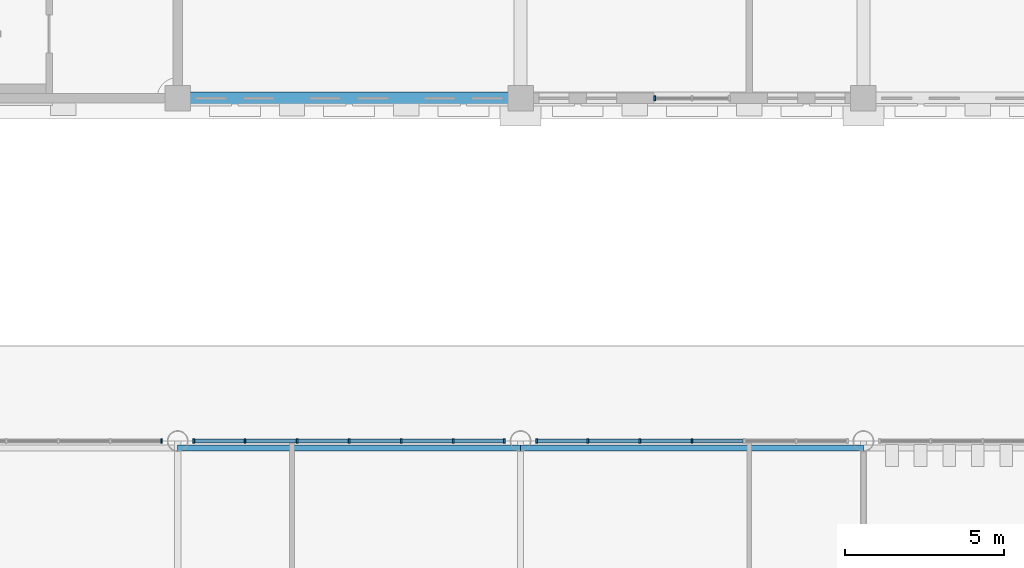
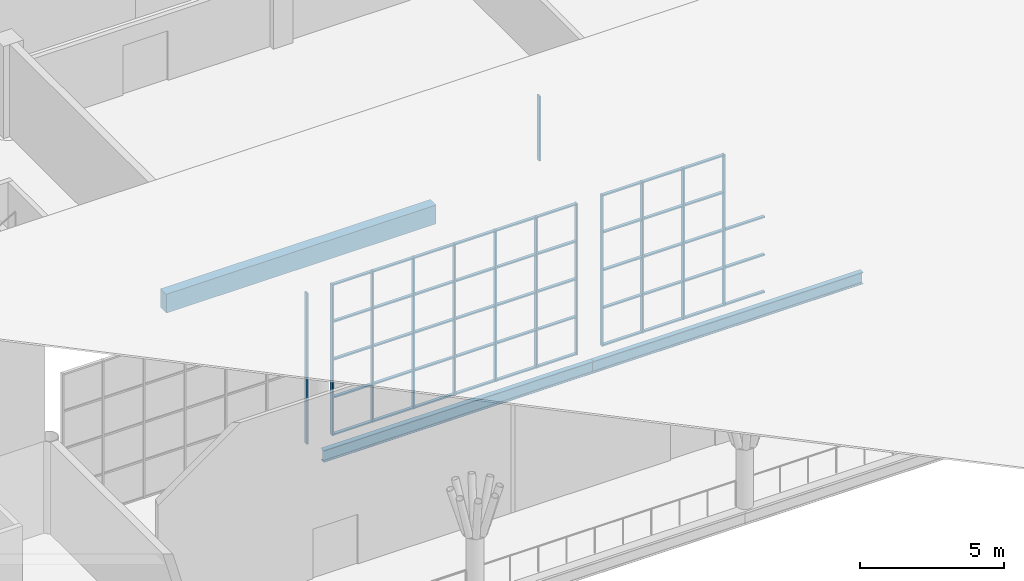
# One storey, part 14 of 56: 61 members, 3 beams, 4 elements without a shape of their own.
"""IFC4 building model written with IfcOpenShell, lengths in metres."""

from ifc_helpers import new_model, si_unit, direction, frame, origin, origin_2d, place, context, subcontext, project, spatial, rectangle, i_section, extrude, material, layer, layer_set, material_profile, profile_set, type_object, element, aggregate, save


model = new_model("IFC4")

# Units and contexts
model_context = context("Model", 3, precision=1e-05, world=origin(), true_north=direction((0.0, 1.0)))
body_context = subcontext(model_context, "Body", "Model", "MODEL_VIEW")
ifc_project = project(units=[si_unit("LENGTHUNIT", "METRE"), si_unit("AREAUNIT", "SQUARE_METRE"), si_unit("VOLUMEUNIT", "CUBIC_METRE"), si_unit("PLANEANGLEUNIT", "RADIAN"), si_unit("MASSUNIT", "GRAM", prefix="KILO")], contexts=[model_context])

# Site, building, storey
site_placement = place(None, origin())
site = spatial("IfcSite", under=ifc_project, at=site_placement, CompositionType="ELEMENT")
building_placement = place(site_placement, origin())
building = spatial("IfcBuilding", under=site, at=building_placement, Name="Magnolia Steps Interchange", CompositionType="ELEMENT")
storey_placement = place(building_placement, frame((0.0, 0.0, 8.699951171875)))
storey = spatial("IfcBuildingStorey", under=building, at=storey_placement, Name="L02", CompositionType="ELEMENT", Elevation=8.699951171875)

# Curtain wall, member
ifc_material_1 = material(Name="Powder-coated aluminium and glass", Category="aluminium")
ifc_layer_1 = layer(ifc_material_1, 0.199951171875)
ifc_layer_set_1 = layer_set([ifc_layer_1], Name="Glazed central bay curtain wall")
curtain_wall_type_1 = type_object("IfcCurtainWallType", Name="Glazed central bay curtain wall", PredefinedType="NOTDEFINED", material=ifc_layer_set_1)
curtain_wall_1_placement = place(storey_placement, origin())
curtain_wall_1 = element("IfcCurtainWall", 1, at=curtain_wall_1_placement, inside=storey, type_object=curtain_wall_type_1, Name="Operations building south wall L02 glazing 2", PredefinedType="NOTDEFINED")
ifc_material_2 = material(Name="White powder-coated aluminium", Category="aluminium")
ifc_material_profile_1 = material_profile(ifc_material_2, rectangle(XDim=0.06005859375, YDim=0.14990234375, at=origin_2d()), Name="Aluminium mullion 60 x 150")
ifc_profile_set_1 = profile_set([ifc_material_profile_1], Name="White powder-coated aluminium")
member_type_1 = type_object("IfcMemberType", Name="Aluminium mullion 60 x 150", PredefinedType="MULLION", material=ifc_profile_set_1)
member_1_placement = place(storey_placement, frame((89.830078125, 96.39990234375, 0.0), z_axis=(0.0, 0.0, 1.0), x_axis=(1.0, 0.0, 0.0)))
member_1 = element("IfcMember", 2, at=member_1_placement, type_object=member_type_1, Name="CW2 mullion 1", PredefinedType="MULLION", context=body_context, shape_type="SweptSolid", body=[
    extrude(rectangle(XDim=0.06005859375, YDim=0.14990234375, at=origin_2d()), origin(), (0.0, 0.0, 1.0), 2.75),
])
aggregate(curtain_wall_1, [member_1])

ifc_material_3 = material(Name="Powder-coated aluminium and glass", Category="aluminium")
ifc_layer_2 = layer(ifc_material_3, 0.1201171875)
ifc_layer_set_2 = layer_set([ifc_layer_2], Name="Hall clerestory curtain wall")
curtain_wall_type_2 = type_object("IfcCurtainWallType", Name="Hall clerestory curtain wall", PredefinedType="NOTDEFINED", material=ifc_layer_set_2)
curtain_wall_2_placement = place(storey_placement, origin())
curtain_wall_2 = element("IfcCurtainWall", 3, at=curtain_wall_2_placement, inside=storey, type_object=curtain_wall_type_2, Name="Hall clerestory N2", PredefinedType="NOTDEFINED")
member_2_placement = place(storey_placement, frame((74.2900390625, 85.60009765625, 0.0), z_axis=(0.0, 0.0, 1.0), x_axis=(1.0, 0.0, 0.0)))
member_2 = element("IfcMember", 4, at=member_2_placement, type_object=member_type_1, Name="CW6 mullion 7", PredefinedType="MULLION", context=body_context, shape_type="SweptSolid", body=[
    extrude(rectangle(XDim=0.06005859375, YDim=0.14990234375, at=origin_2d()), origin(), (0.0, 0.0, 1.0), 6.400146484375),
])
aggregate(curtain_wall_2, [member_2])

# Curtain wall, members
curtain_wall_3_placement = place(storey_placement, origin())
curtain_wall_3 = element("IfcCurtainWall", 5, at=curtain_wall_3_placement, inside=storey, type_object=curtain_wall_type_2, Name="Hall clerestory N3", PredefinedType="NOTDEFINED")
member_3_placement = place(storey_placement, frame((75.31005859375, 85.60009765625, 0.0), z_axis=(0.0, 0.0, 1.0), x_axis=(1.0, 0.0, 0.0)))
member_3 = element("IfcMember", 6, at=member_3_placement, type_object=member_type_1, Name="CW6 mullion 1", PredefinedType="MULLION", context=body_context, shape_type="SweptSolid", body=[
    extrude(rectangle(XDim=0.06005859375, YDim=0.14990234375, at=origin_2d()), origin(), (0.0, 0.0, 1.0), 6.400146484375),
])
member_4_placement = place(storey_placement, frame((76.919921875, 85.60009765625, 0.0), z_axis=(0.0, 0.0, 1.0), x_axis=(1.0, 0.0, 0.0)))
member_4 = element("IfcMember", 7, at=member_4_placement, type_object=member_type_1, Name="CW6 mullion 2", PredefinedType="MULLION", context=body_context, shape_type="SweptSolid", body=[
    extrude(rectangle(XDim=0.06005859375, YDim=0.14990234375, at=origin_2d()), origin(), (0.0, 0.0, 1.0), 6.400146484375),
])
member_5_placement = place(storey_placement, frame((78.56005859375, 85.60009765625, 0.0), z_axis=(0.0, 0.0, 1.0), x_axis=(1.0, 0.0, 0.0)))
member_5 = element("IfcMember", 8, at=member_5_placement, type_object=member_type_1, Name="CW6 mullion 3", PredefinedType="MULLION", context=body_context, shape_type="SweptSolid", body=[
    extrude(rectangle(XDim=0.06005859375, YDim=0.14990234375, at=origin_2d()), origin(), (0.0, 0.0, 1.0), 6.400146484375),
])
member_6_placement = place(storey_placement, frame((80.199951171875, 85.60009765625, 0.0), z_axis=(0.0, 0.0, 1.0), x_axis=(1.0, 0.0, 0.0)))
member_6 = element("IfcMember", 9, at=member_6_placement, type_object=member_type_1, Name="CW6 mullion 4", PredefinedType="MULLION", context=body_context, shape_type="SweptSolid", body=[
    extrude(rectangle(XDim=0.06005859375, YDim=0.14990234375, at=origin_2d()), origin(), (0.0, 0.0, 1.0), 6.400146484375),
])
member_7_placement = place(storey_placement, frame((81.840087890625, 85.60009765625, 0.0), z_axis=(0.0, 0.0, 1.0), x_axis=(1.0, 0.0, 0.0)))
member_7 = element("IfcMember", 10, at=member_7_placement, type_object=member_type_1, Name="CW6 mullion 5", PredefinedType="MULLION", context=body_context, shape_type="SweptSolid", body=[
    extrude(rectangle(XDim=0.06005859375, YDim=0.14990234375, at=origin_2d()), origin(), (0.0, 0.0, 1.0), 6.400146484375),
])
member_8_placement = place(storey_placement, frame((83.47998046875, 85.60009765625, 0.0), z_axis=(0.0, 0.0, 1.0), x_axis=(1.0, 0.0, 0.0)))
member_8 = element("IfcMember", 11, at=member_8_placement, type_object=member_type_1, Name="CW6 mullion 6", PredefinedType="MULLION", context=body_context, shape_type="SweptSolid", body=[
    extrude(rectangle(XDim=0.06005859375, YDim=0.14990234375, at=origin_2d()), origin(), (0.0, 0.0, 1.0), 6.400146484375),
])
member_9_placement = place(storey_placement, frame((85.090087890625, 85.60009765625, 0.0), z_axis=(0.0, 0.0, 1.0), x_axis=(1.0, 0.0, 0.0)))
member_9 = element("IfcMember", 12, at=member_9_placement, type_object=member_type_1, Name="CW6 mullion 7", PredefinedType="MULLION", context=body_context, shape_type="SweptSolid", body=[
    extrude(rectangle(XDim=0.06005859375, YDim=0.14990234375, at=origin_2d()), origin(), (0.0, 0.0, 1.0), 6.400146484375),
])

curtain_wall_4_placement = place(storey_placement, origin())
curtain_wall_4 = element("IfcCurtainWall", 13, at=curtain_wall_4_placement, inside=storey, type_object=curtain_wall_type_2, Name="Hall clerestory N4", PredefinedType="NOTDEFINED")
member_10_placement = place(storey_placement, frame((86.110107421875, 85.60009765625, 0.0), z_axis=(0.0, 0.0, 1.0), x_axis=(1.0, 0.0, 0.0)))
member_10 = element("IfcMember", 14, at=member_10_placement, type_object=member_type_1, Name="CW6 mullion 1", PredefinedType="MULLION", context=body_context, shape_type="SweptSolid", body=[
    extrude(rectangle(XDim=0.06005859375, YDim=0.14990234375, at=origin_2d()), origin(), (0.0, 0.0, 1.0), 6.400146484375),
])
member_11_placement = place(storey_placement, frame((87.719970703125, 85.60009765625, 0.0), z_axis=(0.0, 0.0, 1.0), x_axis=(1.0, 0.0, 0.0)))
member_11 = element("IfcMember", 15, at=member_11_placement, type_object=member_type_1, Name="CW6 mullion 2", PredefinedType="MULLION", context=body_context, shape_type="SweptSolid", body=[
    extrude(rectangle(XDim=0.06005859375, YDim=0.14990234375, at=origin_2d()), origin(), (0.0, 0.0, 1.0), 6.400146484375),
])
member_12_placement = place(storey_placement, frame((89.360107421875, 85.60009765625, 0.0), z_axis=(0.0, 0.0, 1.0), x_axis=(1.0, 0.0, 0.0)))
member_12 = element("IfcMember", 16, at=member_12_placement, type_object=member_type_1, Name="CW6 mullion 3", PredefinedType="MULLION", context=body_context, shape_type="SweptSolid", body=[
    extrude(rectangle(XDim=0.06005859375, YDim=0.14990234375, at=origin_2d()), origin(), (0.0, 0.0, 1.0), 6.400146484375),
])
member_13_placement = place(storey_placement, frame((91.0, 85.60009765625, 0.0), z_axis=(0.0, 0.0, 1.0), x_axis=(1.0, 0.0, 0.0)))
member_13 = element("IfcMember", 17, at=member_13_placement, type_object=member_type_1, Name="CW6 mullion 4", PredefinedType="MULLION", context=body_context, shape_type="SweptSolid", body=[
    extrude(rectangle(XDim=0.06005859375, YDim=0.14990234375, at=origin_2d()), origin(), (0.0, 0.0, 1.0), 6.400146484375),
])

# Member
ifc_material_4 = material(Name="White powder-coated aluminium", Category="aluminium")
ifc_material_profile_2 = material_profile(ifc_material_4, rectangle(XDim=0.06005859375, YDim=0.1201171875, at=origin_2d()), Name="Aluminium transom 60 x 120")
ifc_profile_set_2 = profile_set([ifc_material_profile_2], Name="White powder-coated aluminium")
member_type_2 = type_object("IfcMemberType", Name="Aluminium transom 60 x 120", PredefinedType="USERDEFINED", material=ifc_profile_set_2)
member_14_placement = place(storey_placement, frame((75.340087890625, 85.60009765625, 0.030029296875), z_axis=(1.0, 0.0, 0.0), x_axis=(0.0, 0.0, 1.0)))
member_14 = element("IfcMember", 18, at=member_14_placement, type_object=member_type_2, Name="CW6 transom 1.1", ObjectType="TRANSOM", PredefinedType="USERDEFINED", context=body_context, shape_type="SweptSolid", body=[
    extrude(rectangle(XDim=0.06005859375, YDim=0.1201171875, at=origin_2d()), origin(), (0.0, 0.0, 1.0), 1.5498046875),
])

member_15_placement = place(storey_placement, frame((75.340087890625, 85.60009765625, 1.60009765625), z_axis=(1.0, 0.0, 0.0), x_axis=(0.0, 0.0, 1.0)))
member_15 = element("IfcMember", 19, at=member_15_placement, type_object=member_type_2, Name="CW6 transom 1.2", ObjectType="TRANSOM", PredefinedType="USERDEFINED", context=body_context, shape_type="SweptSolid", body=[
    extrude(rectangle(XDim=0.06005859375, YDim=0.1201171875, at=origin_2d()), origin(), (0.0, 0.0, 1.0), 1.5498046875),
])

member_16_placement = place(storey_placement, frame((75.340087890625, 85.60009765625, 3.199951171875), z_axis=(1.0, 0.0, 0.0), x_axis=(0.0, 0.0, 1.0)))
member_16 = element("IfcMember", 20, at=member_16_placement, type_object=member_type_2, Name="CW6 transom 1.3", ObjectType="TRANSOM", PredefinedType="USERDEFINED", context=body_context, shape_type="SweptSolid", body=[
    extrude(rectangle(XDim=0.06005859375, YDim=0.1201171875, at=origin_2d()), origin(), (0.0, 0.0, 1.0), 1.5498046875),
])

member_17_placement = place(storey_placement, frame((75.340087890625, 85.60009765625, 4.800048828125), z_axis=(1.0, 0.0, 0.0), x_axis=(0.0, 0.0, 1.0)))
member_17 = element("IfcMember", 21, at=member_17_placement, type_object=member_type_2, Name="CW6 transom 1.4", ObjectType="TRANSOM", PredefinedType="USERDEFINED", context=body_context, shape_type="SweptSolid", body=[
    extrude(rectangle(XDim=0.06005859375, YDim=0.1201171875, at=origin_2d()), origin(), (0.0, 0.0, 1.0), 1.5498046875),
])

member_18_placement = place(storey_placement, frame((75.340087890625, 85.60009765625, 6.3701171875), z_axis=(1.0, 0.0, 0.0), x_axis=(0.0, 0.0, 1.0)))
member_18 = element("IfcMember", 22, at=member_18_placement, type_object=member_type_2, Name="CW6 transom 1.5", ObjectType="TRANSOM", PredefinedType="USERDEFINED", context=body_context, shape_type="SweptSolid", body=[
    extrude(rectangle(XDim=0.06005859375, YDim=0.1201171875, at=origin_2d()), origin(), (0.0, 0.0, 1.0), 1.5498046875),
])

member_19_placement = place(storey_placement, frame((76.949951171875, 85.60009765625, 0.030029296875), z_axis=(1.0, 0.0, 0.0), x_axis=(0.0, 0.0, 1.0)))
member_19 = element("IfcMember", 23, at=member_19_placement, type_object=member_type_2, Name="CW6 transom 2.1", ObjectType="TRANSOM", PredefinedType="USERDEFINED", context=body_context, shape_type="SweptSolid", body=[
    extrude(rectangle(XDim=0.06005859375, YDim=0.1201171875, at=origin_2d()), origin(), (0.0, 0.0, 1.0), 1.580078125),
])

member_20_placement = place(storey_placement, frame((76.949951171875, 85.60009765625, 1.60009765625), z_axis=(1.0, 0.0, 0.0), x_axis=(0.0, 0.0, 1.0)))
member_20 = element("IfcMember", 24, at=member_20_placement, type_object=member_type_2, Name="CW6 transom 2.2", ObjectType="TRANSOM", PredefinedType="USERDEFINED", context=body_context, shape_type="SweptSolid", body=[
    extrude(rectangle(XDim=0.06005859375, YDim=0.1201171875, at=origin_2d()), origin(), (0.0, 0.0, 1.0), 1.580078125),
])

member_21_placement = place(storey_placement, frame((76.949951171875, 85.60009765625, 3.199951171875), z_axis=(1.0, 0.0, 0.0), x_axis=(0.0, 0.0, 1.0)))
member_21 = element("IfcMember", 25, at=member_21_placement, type_object=member_type_2, Name="CW6 transom 2.3", ObjectType="TRANSOM", PredefinedType="USERDEFINED", context=body_context, shape_type="SweptSolid", body=[
    extrude(rectangle(XDim=0.06005859375, YDim=0.1201171875, at=origin_2d()), origin(), (0.0, 0.0, 1.0), 1.580078125),
])

member_22_placement = place(storey_placement, frame((76.949951171875, 85.60009765625, 4.800048828125), z_axis=(1.0, 0.0, 0.0), x_axis=(0.0, 0.0, 1.0)))
member_22 = element("IfcMember", 26, at=member_22_placement, type_object=member_type_2, Name="CW6 transom 2.4", ObjectType="TRANSOM", PredefinedType="USERDEFINED", context=body_context, shape_type="SweptSolid", body=[
    extrude(rectangle(XDim=0.06005859375, YDim=0.1201171875, at=origin_2d()), origin(), (0.0, 0.0, 1.0), 1.580078125),
])

member_23_placement = place(storey_placement, frame((76.949951171875, 85.60009765625, 6.3701171875), z_axis=(1.0, 0.0, 0.0), x_axis=(0.0, 0.0, 1.0)))
member_23 = element("IfcMember", 27, at=member_23_placement, type_object=member_type_2, Name="CW6 transom 2.5", ObjectType="TRANSOM", PredefinedType="USERDEFINED", context=body_context, shape_type="SweptSolid", body=[
    extrude(rectangle(XDim=0.06005859375, YDim=0.1201171875, at=origin_2d()), origin(), (0.0, 0.0, 1.0), 1.580078125),
])

member_24_placement = place(storey_placement, frame((78.590087890625, 85.60009765625, 0.030029296875), z_axis=(1.0, 0.0, 0.0), x_axis=(0.0, 0.0, 1.0)))
member_24 = element("IfcMember", 28, at=member_24_placement, type_object=member_type_2, Name="CW6 transom 3.1", ObjectType="TRANSOM", PredefinedType="USERDEFINED", context=body_context, shape_type="SweptSolid", body=[
    extrude(rectangle(XDim=0.06005859375, YDim=0.1201171875, at=origin_2d()), origin(), (0.0, 0.0, 1.0), 1.579833984375),
])

member_25_placement = place(storey_placement, frame((78.590087890625, 85.60009765625, 1.60009765625), z_axis=(1.0, 0.0, 0.0), x_axis=(0.0, 0.0, 1.0)))
member_25 = element("IfcMember", 29, at=member_25_placement, type_object=member_type_2, Name="CW6 transom 3.2", ObjectType="TRANSOM", PredefinedType="USERDEFINED", context=body_context, shape_type="SweptSolid", body=[
    extrude(rectangle(XDim=0.06005859375, YDim=0.1201171875, at=origin_2d()), origin(), (0.0, 0.0, 1.0), 1.579833984375),
])

member_26_placement = place(storey_placement, frame((78.590087890625, 85.60009765625, 3.199951171875), z_axis=(1.0, 0.0, 0.0), x_axis=(0.0, 0.0, 1.0)))
member_26 = element("IfcMember", 30, at=member_26_placement, type_object=member_type_2, Name="CW6 transom 3.3", ObjectType="TRANSOM", PredefinedType="USERDEFINED", context=body_context, shape_type="SweptSolid", body=[
    extrude(rectangle(XDim=0.06005859375, YDim=0.1201171875, at=origin_2d()), origin(), (0.0, 0.0, 1.0), 1.579833984375),
])

member_27_placement = place(storey_placement, frame((78.590087890625, 85.60009765625, 4.800048828125), z_axis=(1.0, 0.0, 0.0), x_axis=(0.0, 0.0, 1.0)))
member_27 = element("IfcMember", 31, at=member_27_placement, type_object=member_type_2, Name="CW6 transom 3.4", ObjectType="TRANSOM", PredefinedType="USERDEFINED", context=body_context, shape_type="SweptSolid", body=[
    extrude(rectangle(XDim=0.06005859375, YDim=0.1201171875, at=origin_2d()), origin(), (0.0, 0.0, 1.0), 1.579833984375),
])

member_28_placement = place(storey_placement, frame((78.590087890625, 85.60009765625, 6.3701171875), z_axis=(1.0, 0.0, 0.0), x_axis=(0.0, 0.0, 1.0)))
member_28 = element("IfcMember", 32, at=member_28_placement, type_object=member_type_2, Name="CW6 transom 3.5", ObjectType="TRANSOM", PredefinedType="USERDEFINED", context=body_context, shape_type="SweptSolid", body=[
    extrude(rectangle(XDim=0.06005859375, YDim=0.1201171875, at=origin_2d()), origin(), (0.0, 0.0, 1.0), 1.579833984375),
])

member_29_placement = place(storey_placement, frame((80.22998046875, 85.60009765625, 0.030029296875), z_axis=(1.0, 0.0, 0.0), x_axis=(0.0, 0.0, 1.0)))
member_29 = element("IfcMember", 33, at=member_29_placement, type_object=member_type_2, Name="CW6 transom 4.1", ObjectType="TRANSOM", PredefinedType="USERDEFINED", context=body_context, shape_type="SweptSolid", body=[
    extrude(rectangle(XDim=0.06005859375, YDim=0.1201171875, at=origin_2d()), origin(), (0.0, 0.0, 1.0), 1.580078125),
])

member_30_placement = place(storey_placement, frame((80.22998046875, 85.60009765625, 1.60009765625), z_axis=(1.0, 0.0, 0.0), x_axis=(0.0, 0.0, 1.0)))
member_30 = element("IfcMember", 34, at=member_30_placement, type_object=member_type_2, Name="CW6 transom 4.2", ObjectType="TRANSOM", PredefinedType="USERDEFINED", context=body_context, shape_type="SweptSolid", body=[
    extrude(rectangle(XDim=0.06005859375, YDim=0.1201171875, at=origin_2d()), origin(), (0.0, 0.0, 1.0), 1.580078125),
])

member_31_placement = place(storey_placement, frame((80.22998046875, 85.60009765625, 3.199951171875), z_axis=(1.0, 0.0, 0.0), x_axis=(0.0, 0.0, 1.0)))
member_31 = element("IfcMember", 35, at=member_31_placement, type_object=member_type_2, Name="CW6 transom 4.3", ObjectType="TRANSOM", PredefinedType="USERDEFINED", context=body_context, shape_type="SweptSolid", body=[
    extrude(rectangle(XDim=0.06005859375, YDim=0.1201171875, at=origin_2d()), origin(), (0.0, 0.0, 1.0), 1.580078125),
])

member_32_placement = place(storey_placement, frame((80.22998046875, 85.60009765625, 4.800048828125), z_axis=(1.0, 0.0, 0.0), x_axis=(0.0, 0.0, 1.0)))
member_32 = element("IfcMember", 36, at=member_32_placement, type_object=member_type_2, Name="CW6 transom 4.4", ObjectType="TRANSOM", PredefinedType="USERDEFINED", context=body_context, shape_type="SweptSolid", body=[
    extrude(rectangle(XDim=0.06005859375, YDim=0.1201171875, at=origin_2d()), origin(), (0.0, 0.0, 1.0), 1.580078125),
])

member_33_placement = place(storey_placement, frame((80.22998046875, 85.60009765625, 6.3701171875), z_axis=(1.0, 0.0, 0.0), x_axis=(0.0, 0.0, 1.0)))
member_33 = element("IfcMember", 37, at=member_33_placement, type_object=member_type_2, Name="CW6 transom 4.5", ObjectType="TRANSOM", PredefinedType="USERDEFINED", context=body_context, shape_type="SweptSolid", body=[
    extrude(rectangle(XDim=0.06005859375, YDim=0.1201171875, at=origin_2d()), origin(), (0.0, 0.0, 1.0), 1.580078125),
])

member_34_placement = place(storey_placement, frame((81.8701171875, 85.60009765625, 0.030029296875), z_axis=(1.0, 0.0, 0.0), x_axis=(0.0, 0.0, 1.0)))
member_34 = element("IfcMember", 38, at=member_34_placement, type_object=member_type_2, Name="CW6 transom 5.1", ObjectType="TRANSOM", PredefinedType="USERDEFINED", context=body_context, shape_type="SweptSolid", body=[
    extrude(rectangle(XDim=0.06005859375, YDim=0.1201171875, at=origin_2d()), origin(), (0.0, 0.0, 1.0), 1.579833984375),
])

member_35_placement = place(storey_placement, frame((81.8701171875, 85.60009765625, 1.60009765625), z_axis=(1.0, 0.0, 0.0), x_axis=(0.0, 0.0, 1.0)))
member_35 = element("IfcMember", 39, at=member_35_placement, type_object=member_type_2, Name="CW6 transom 5.2", ObjectType="TRANSOM", PredefinedType="USERDEFINED", context=body_context, shape_type="SweptSolid", body=[
    extrude(rectangle(XDim=0.06005859375, YDim=0.1201171875, at=origin_2d()), origin(), (0.0, 0.0, 1.0), 1.579833984375),
])

member_36_placement = place(storey_placement, frame((81.8701171875, 85.60009765625, 3.199951171875), z_axis=(1.0, 0.0, 0.0), x_axis=(0.0, 0.0, 1.0)))
member_36 = element("IfcMember", 40, at=member_36_placement, type_object=member_type_2, Name="CW6 transom 5.3", ObjectType="TRANSOM", PredefinedType="USERDEFINED", context=body_context, shape_type="SweptSolid", body=[
    extrude(rectangle(XDim=0.06005859375, YDim=0.1201171875, at=origin_2d()), origin(), (0.0, 0.0, 1.0), 1.579833984375),
])

member_37_placement = place(storey_placement, frame((81.8701171875, 85.60009765625, 4.800048828125), z_axis=(1.0, 0.0, 0.0), x_axis=(0.0, 0.0, 1.0)))
member_37 = element("IfcMember", 41, at=member_37_placement, type_object=member_type_2, Name="CW6 transom 5.4", ObjectType="TRANSOM", PredefinedType="USERDEFINED", context=body_context, shape_type="SweptSolid", body=[
    extrude(rectangle(XDim=0.06005859375, YDim=0.1201171875, at=origin_2d()), origin(), (0.0, 0.0, 1.0), 1.579833984375),
])

member_38_placement = place(storey_placement, frame((81.8701171875, 85.60009765625, 6.3701171875), z_axis=(1.0, 0.0, 0.0), x_axis=(0.0, 0.0, 1.0)))
member_38 = element("IfcMember", 42, at=member_38_placement, type_object=member_type_2, Name="CW6 transom 5.5", ObjectType="TRANSOM", PredefinedType="USERDEFINED", context=body_context, shape_type="SweptSolid", body=[
    extrude(rectangle(XDim=0.06005859375, YDim=0.1201171875, at=origin_2d()), origin(), (0.0, 0.0, 1.0), 1.579833984375),
])

member_39_placement = place(storey_placement, frame((83.510009765625, 85.60009765625, 0.030029296875), z_axis=(1.0, 0.0, 0.0), x_axis=(0.0, 0.0, 1.0)))
member_39 = element("IfcMember", 43, at=member_39_placement, type_object=member_type_2, Name="CW6 transom 6.1", ObjectType="TRANSOM", PredefinedType="USERDEFINED", context=body_context, shape_type="SweptSolid", body=[
    extrude(rectangle(XDim=0.06005859375, YDim=0.1201171875, at=origin_2d()), origin(), (0.0, 0.0, 1.0), 1.550048828125),
])

member_40_placement = place(storey_placement, frame((83.510009765625, 85.60009765625, 1.60009765625), z_axis=(1.0, 0.0, 0.0), x_axis=(0.0, 0.0, 1.0)))
member_40 = element("IfcMember", 44, at=member_40_placement, type_object=member_type_2, Name="CW6 transom 6.2", ObjectType="TRANSOM", PredefinedType="USERDEFINED", context=body_context, shape_type="SweptSolid", body=[
    extrude(rectangle(XDim=0.06005859375, YDim=0.1201171875, at=origin_2d()), origin(), (0.0, 0.0, 1.0), 1.550048828125),
])

member_41_placement = place(storey_placement, frame((83.510009765625, 85.60009765625, 3.199951171875), z_axis=(1.0, 0.0, 0.0), x_axis=(0.0, 0.0, 1.0)))
member_41 = element("IfcMember", 45, at=member_41_placement, type_object=member_type_2, Name="CW6 transom 6.3", ObjectType="TRANSOM", PredefinedType="USERDEFINED", context=body_context, shape_type="SweptSolid", body=[
    extrude(rectangle(XDim=0.06005859375, YDim=0.1201171875, at=origin_2d()), origin(), (0.0, 0.0, 1.0), 1.550048828125),
])

member_42_placement = place(storey_placement, frame((83.510009765625, 85.60009765625, 4.800048828125), z_axis=(1.0, 0.0, 0.0), x_axis=(0.0, 0.0, 1.0)))
member_42 = element("IfcMember", 46, at=member_42_placement, type_object=member_type_2, Name="CW6 transom 6.4", ObjectType="TRANSOM", PredefinedType="USERDEFINED", context=body_context, shape_type="SweptSolid", body=[
    extrude(rectangle(XDim=0.06005859375, YDim=0.1201171875, at=origin_2d()), origin(), (0.0, 0.0, 1.0), 1.550048828125),
])

member_43_placement = place(storey_placement, frame((83.510009765625, 85.60009765625, 6.3701171875), z_axis=(1.0, 0.0, 0.0), x_axis=(0.0, 0.0, 1.0)))
member_43 = element("IfcMember", 47, at=member_43_placement, type_object=member_type_2, Name="CW6 transom 6.5", ObjectType="TRANSOM", PredefinedType="USERDEFINED", context=body_context, shape_type="SweptSolid", body=[
    extrude(rectangle(XDim=0.06005859375, YDim=0.1201171875, at=origin_2d()), origin(), (0.0, 0.0, 1.0), 1.550048828125),
])

aggregate(curtain_wall_3, [member_3, member_4, member_5, member_6, member_7, member_8, member_9, member_14, member_15, member_16, member_17, member_18, member_19, member_20, member_21, member_22, member_23, member_24, member_25, member_26, member_27, member_28, member_29, member_30, member_31, member_32, member_33, member_34, member_35, member_36, member_37, member_38, member_39, member_40, member_41, member_42, member_43])

member_44_placement = place(storey_placement, frame((86.139892578125, 85.60009765625, 0.030029296875), z_axis=(1.0, 0.0, 0.0), x_axis=(0.0, 0.0, 1.0)))
member_44 = element("IfcMember", 48, at=member_44_placement, type_object=member_type_2, Name="CW6 transom 1.1", ObjectType="TRANSOM", PredefinedType="USERDEFINED", context=body_context, shape_type="SweptSolid", body=[
    extrude(rectangle(XDim=0.06005859375, YDim=0.1201171875, at=origin_2d()), origin(), (0.0, 0.0, 1.0), 1.550048828125),
])

member_45_placement = place(storey_placement, frame((86.139892578125, 85.60009765625, 1.60009765625), z_axis=(1.0, 0.0, 0.0), x_axis=(0.0, 0.0, 1.0)))
member_45 = element("IfcMember", 49, at=member_45_placement, type_object=member_type_2, Name="CW6 transom 1.2", ObjectType="TRANSOM", PredefinedType="USERDEFINED", context=body_context, shape_type="SweptSolid", body=[
    extrude(rectangle(XDim=0.06005859375, YDim=0.1201171875, at=origin_2d()), origin(), (0.0, 0.0, 1.0), 1.550048828125),
])

member_46_placement = place(storey_placement, frame((86.139892578125, 85.60009765625, 3.199951171875), z_axis=(1.0, 0.0, 0.0), x_axis=(0.0, 0.0, 1.0)))
member_46 = element("IfcMember", 50, at=member_46_placement, type_object=member_type_2, Name="CW6 transom 1.3", ObjectType="TRANSOM", PredefinedType="USERDEFINED", context=body_context, shape_type="SweptSolid", body=[
    extrude(rectangle(XDim=0.06005859375, YDim=0.1201171875, at=origin_2d()), origin(), (0.0, 0.0, 1.0), 1.550048828125),
])

member_47_placement = place(storey_placement, frame((86.139892578125, 85.60009765625, 4.800048828125), z_axis=(1.0, 0.0, 0.0), x_axis=(0.0, 0.0, 1.0)))
member_47 = element("IfcMember", 51, at=member_47_placement, type_object=member_type_2, Name="CW6 transom 1.4", ObjectType="TRANSOM", PredefinedType="USERDEFINED", context=body_context, shape_type="SweptSolid", body=[
    extrude(rectangle(XDim=0.06005859375, YDim=0.1201171875, at=origin_2d()), origin(), (0.0, 0.0, 1.0), 1.550048828125),
])

member_48_placement = place(storey_placement, frame((86.139892578125, 85.60009765625, 6.3701171875), z_axis=(1.0, 0.0, 0.0), x_axis=(0.0, 0.0, 1.0)))
member_48 = element("IfcMember", 52, at=member_48_placement, type_object=member_type_2, Name="CW6 transom 1.5", ObjectType="TRANSOM", PredefinedType="USERDEFINED", context=body_context, shape_type="SweptSolid", body=[
    extrude(rectangle(XDim=0.06005859375, YDim=0.1201171875, at=origin_2d()), origin(), (0.0, 0.0, 1.0), 1.550048828125),
])

member_49_placement = place(storey_placement, frame((87.75, 85.60009765625, 0.030029296875), z_axis=(1.0, 0.0, 0.0), x_axis=(0.0, 0.0, 1.0)))
member_49 = element("IfcMember", 53, at=member_49_placement, type_object=member_type_2, Name="CW6 transom 2.1", ObjectType="TRANSOM", PredefinedType="USERDEFINED", context=body_context, shape_type="SweptSolid", body=[
    extrude(rectangle(XDim=0.06005859375, YDim=0.1201171875, at=origin_2d()), origin(), (0.0, 0.0, 1.0), 1.580078125),
])

member_50_placement = place(storey_placement, frame((87.75, 85.60009765625, 1.60009765625), z_axis=(1.0, 0.0, 0.0), x_axis=(0.0, 0.0, 1.0)))
member_50 = element("IfcMember", 54, at=member_50_placement, type_object=member_type_2, Name="CW6 transom 2.2", ObjectType="TRANSOM", PredefinedType="USERDEFINED", context=body_context, shape_type="SweptSolid", body=[
    extrude(rectangle(XDim=0.06005859375, YDim=0.1201171875, at=origin_2d()), origin(), (0.0, 0.0, 1.0), 1.580078125),
])

member_51_placement = place(storey_placement, frame((87.75, 85.60009765625, 3.199951171875), z_axis=(1.0, 0.0, 0.0), x_axis=(0.0, 0.0, 1.0)))
member_51 = element("IfcMember", 55, at=member_51_placement, type_object=member_type_2, Name="CW6 transom 2.3", ObjectType="TRANSOM", PredefinedType="USERDEFINED", context=body_context, shape_type="SweptSolid", body=[
    extrude(rectangle(XDim=0.06005859375, YDim=0.1201171875, at=origin_2d()), origin(), (0.0, 0.0, 1.0), 1.580078125),
])

member_52_placement = place(storey_placement, frame((87.75, 85.60009765625, 4.800048828125), z_axis=(1.0, 0.0, 0.0), x_axis=(0.0, 0.0, 1.0)))
member_52 = element("IfcMember", 56, at=member_52_placement, type_object=member_type_2, Name="CW6 transom 2.4", ObjectType="TRANSOM", PredefinedType="USERDEFINED", context=body_context, shape_type="SweptSolid", body=[
    extrude(rectangle(XDim=0.06005859375, YDim=0.1201171875, at=origin_2d()), origin(), (0.0, 0.0, 1.0), 1.580078125),
])

member_53_placement = place(storey_placement, frame((87.75, 85.60009765625, 6.3701171875), z_axis=(1.0, 0.0, 0.0), x_axis=(0.0, 0.0, 1.0)))
member_53 = element("IfcMember", 57, at=member_53_placement, type_object=member_type_2, Name="CW6 transom 2.5", ObjectType="TRANSOM", PredefinedType="USERDEFINED", context=body_context, shape_type="SweptSolid", body=[
    extrude(rectangle(XDim=0.06005859375, YDim=0.1201171875, at=origin_2d()), origin(), (0.0, 0.0, 1.0), 1.580078125),
])

member_54_placement = place(storey_placement, frame((89.389892578125, 85.60009765625, 0.030029296875), z_axis=(1.0, 0.0, 0.0), x_axis=(0.0, 0.0, 1.0)))
member_54 = element("IfcMember", 58, at=member_54_placement, type_object=member_type_2, Name="CW6 transom 3.1", ObjectType="TRANSOM", PredefinedType="USERDEFINED", context=body_context, shape_type="SweptSolid", body=[
    extrude(rectangle(XDim=0.06005859375, YDim=0.1201171875, at=origin_2d()), origin(), (0.0, 0.0, 1.0), 1.580078125),
])

member_55_placement = place(storey_placement, frame((89.389892578125, 85.60009765625, 1.60009765625), z_axis=(1.0, 0.0, 0.0), x_axis=(0.0, 0.0, 1.0)))
member_55 = element("IfcMember", 59, at=member_55_placement, type_object=member_type_2, Name="CW6 transom 3.2", ObjectType="TRANSOM", PredefinedType="USERDEFINED", context=body_context, shape_type="SweptSolid", body=[
    extrude(rectangle(XDim=0.06005859375, YDim=0.1201171875, at=origin_2d()), origin(), (0.0, 0.0, 1.0), 1.580078125),
])

member_56_placement = place(storey_placement, frame((89.389892578125, 85.60009765625, 3.199951171875), z_axis=(1.0, 0.0, 0.0), x_axis=(0.0, 0.0, 1.0)))
member_56 = element("IfcMember", 60, at=member_56_placement, type_object=member_type_2, Name="CW6 transom 3.3", ObjectType="TRANSOM", PredefinedType="USERDEFINED", context=body_context, shape_type="SweptSolid", body=[
    extrude(rectangle(XDim=0.06005859375, YDim=0.1201171875, at=origin_2d()), origin(), (0.0, 0.0, 1.0), 1.580078125),
])

member_57_placement = place(storey_placement, frame((89.389892578125, 85.60009765625, 4.800048828125), z_axis=(1.0, 0.0, 0.0), x_axis=(0.0, 0.0, 1.0)))
member_57 = element("IfcMember", 61, at=member_57_placement, type_object=member_type_2, Name="CW6 transom 3.4", ObjectType="TRANSOM", PredefinedType="USERDEFINED", context=body_context, shape_type="SweptSolid", body=[
    extrude(rectangle(XDim=0.06005859375, YDim=0.1201171875, at=origin_2d()), origin(), (0.0, 0.0, 1.0), 1.580078125),
])

member_58_placement = place(storey_placement, frame((89.389892578125, 85.60009765625, 6.3701171875), z_axis=(1.0, 0.0, 0.0), x_axis=(0.0, 0.0, 1.0)))
member_58 = element("IfcMember", 62, at=member_58_placement, type_object=member_type_2, Name="CW6 transom 3.5", ObjectType="TRANSOM", PredefinedType="USERDEFINED", context=body_context, shape_type="SweptSolid", body=[
    extrude(rectangle(XDim=0.06005859375, YDim=0.1201171875, at=origin_2d()), origin(), (0.0, 0.0, 1.0), 1.580078125),
])

member_59_placement = place(storey_placement, frame((91.030029296875, 85.60009765625, 0.030029296875), z_axis=(1.0, 0.0, 0.0), x_axis=(0.0, 0.0, 1.0)))
member_59 = element("IfcMember", 63, at=member_59_placement, type_object=member_type_2, Name="CW6 transom 4.1", ObjectType="TRANSOM", PredefinedType="USERDEFINED", context=body_context, shape_type="SweptSolid", body=[
    extrude(rectangle(XDim=0.06005859375, YDim=0.1201171875, at=origin_2d()), origin(), (0.0, 0.0, 1.0), 1.580078125),
])

member_60_placement = place(storey_placement, frame((91.030029296875, 85.60009765625, 1.60009765625), z_axis=(1.0, 0.0, 0.0), x_axis=(0.0, 0.0, 1.0)))
member_60 = element("IfcMember", 64, at=member_60_placement, type_object=member_type_2, Name="CW6 transom 4.2", ObjectType="TRANSOM", PredefinedType="USERDEFINED", context=body_context, shape_type="SweptSolid", body=[
    extrude(rectangle(XDim=0.06005859375, YDim=0.1201171875, at=origin_2d()), origin(), (0.0, 0.0, 1.0), 1.580078125),
])

member_61_placement = place(storey_placement, frame((91.030029296875, 85.60009765625, 3.199951171875), z_axis=(1.0, 0.0, 0.0), x_axis=(0.0, 0.0, 1.0)))
member_61 = element("IfcMember", 65, at=member_61_placement, type_object=member_type_2, Name="CW6 transom 4.3", ObjectType="TRANSOM", PredefinedType="USERDEFINED", context=body_context, shape_type="SweptSolid", body=[
    extrude(rectangle(XDim=0.06005859375, YDim=0.1201171875, at=origin_2d()), origin(), (0.0, 0.0, 1.0), 1.580078125),
])

aggregate(curtain_wall_4, [member_10, member_11, member_12, member_13, member_44, member_45, member_46, member_47, member_48, member_49, member_50, member_51, member_52, member_53, member_54, member_55, member_56, member_57, member_58, member_59, member_60, member_61])

# Beams
ifc_material_5 = material(Name="Concrete C40", Category="concrete")
ifc_material_profile_3 = material_profile(ifc_material_5, rectangle(XDim=0.39990234375, YDim=0.800048828125, at=origin_2d()), Name="RC400x800")
ifc_profile_set_3 = profile_set([ifc_material_profile_3], Name="Concrete C40")
beam_type_1 = type_object("IfcBeamType", Name="RC beam 400x800", PredefinedType="BEAM", material=ifc_profile_set_3)
beam_1_placement = place(storey_placement, frame((74.800048828125, 96.39990234375, -0.699951171875), z_axis=(1.0, 0.0, 0.0), x_axis=(0.0, 1.0, 0.0)))
element("IfcBeam", 66, at=beam_1_placement, inside=storey, type_object=beam_type_1, Name="Beam L02 I 7-8", PredefinedType="BEAM", context=body_context, shape_type="SweptSolid", body=[
    extrude(rectangle(XDim=0.39990234375, YDim=0.800048828125, at=origin_2d()), origin(), (0.0, 0.0, 1.0), 10.800048828125),
])
ifc_material_6 = material(Name="Steel Q355B", Category="steel")
ifc_material_profile_4 = material_profile(ifc_material_6, i_section(OverallWidth=0.199951171875, OverallDepth=0.5, WebThickness=0.010009765625, FlangeThickness=0.01611328125, FilletRadius=0.02001953125, at=origin_2d()), Name="HN500x200")
ifc_profile_set_4 = profile_set([ifc_material_profile_4], Name="Steel Q355B")
beam_type_2 = type_object("IfcBeamType", Name="Steel composite beam HN500x200", PredefinedType="BEAM", material=ifc_profile_set_4)
beam_2_placement = place(storey_placement, frame((74.800048828125, 85.3798828125, -0.550048828125), z_axis=(1.0, 0.0, 0.0), x_axis=(0.0, 1.0, 0.0)))
element("IfcBeam", 67, at=beam_2_placement, inside=storey, type_object=beam_type_2, Name="Beam L02 H 7-8", PredefinedType="BEAM", context=body_context, shape_type="SweptSolid", body=[
    extrude(i_section(OverallWidth=0.199951171875, OverallDepth=0.5, WebThickness=0.010009765625, FlangeThickness=0.01611328125, FilletRadius=0.02001953125, at=origin_2d()), origin(), (0.0, 0.0, 1.0), 10.800048828125),
])
beam_3_placement = place(storey_placement, frame((85.60009765625, 85.3798828125, -0.550048828125), z_axis=(1.0, 0.0, 0.0), x_axis=(0.0, 1.0, 0.0)))
element("IfcBeam", 68, at=beam_3_placement, inside=storey, type_object=beam_type_2, Name="Beam L02 H 8-9", PredefinedType="BEAM", context=body_context, shape_type="SweptSolid", body=[
    extrude(i_section(OverallWidth=0.199951171875, OverallDepth=0.5, WebThickness=0.010009765625, FlangeThickness=0.01611328125, FilletRadius=0.02001953125, at=origin_2d()), origin(), (0.0, 0.0, 1.0), 10.7998046875),
])

save(model, "model.ifc")
